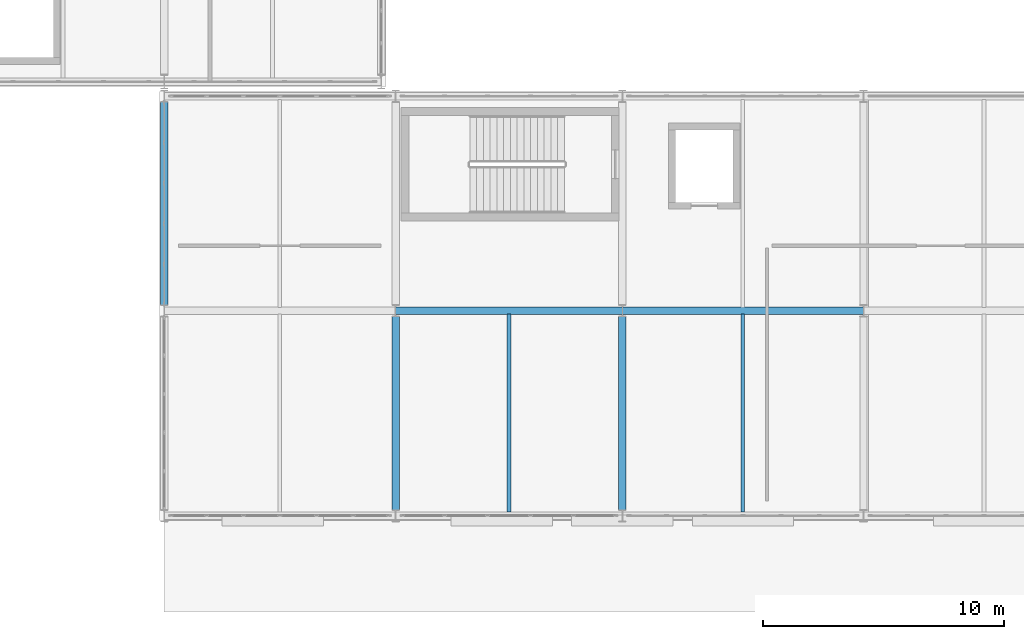
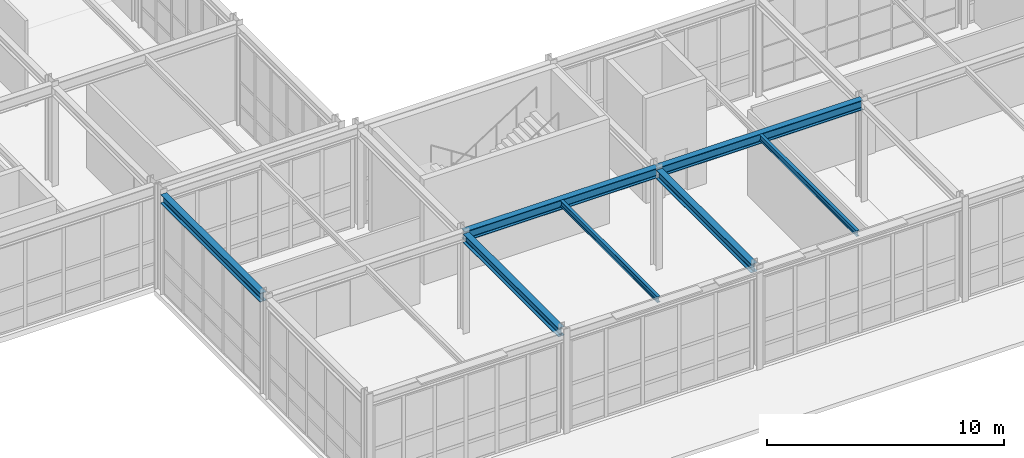
# One storey, part 94 of 210: 7 beams.
"""IFC4 building model written with IfcOpenShell, lengths in metres."""

from ifc_helpers import new_model, si_unit, direction, frame, origin, origin_2d, place, context, subcontext, project, spatial, i_section, extrude, material, material_profile, profile_set, type_object, element, save


model = new_model("IFC4")

# Units and contexts
model_context = context("Model", 3, precision=1e-05, world=origin(), true_north=direction((0.0, 1.0)))
body_context = subcontext(model_context, "Body", "Model", "MODEL_VIEW")
ifc_project = project(units=[si_unit("LENGTHUNIT", "METRE"), si_unit("AREAUNIT", "SQUARE_METRE"), si_unit("VOLUMEUNIT", "CUBIC_METRE"), si_unit("PLANEANGLEUNIT", "RADIAN"), si_unit("MASSUNIT", "GRAM", prefix="KILO")], contexts=[model_context])

# Site, building, storey
site_placement = place(None, origin())
site = spatial("IfcSite", under=ifc_project, at=site_placement, CompositionType="ELEMENT")
building_placement = place(site_placement, origin())
building = spatial("IfcBuilding", under=site, at=building_placement, Name="Kaldris Quays Convention Centre", CompositionType="ELEMENT")
storey_placement = place(building_placement, frame((0.0, 0.0, 6.0)))
storey = spatial("IfcBuildingStorey", under=building, at=storey_placement, Name="L01", CompositionType="ELEMENT", Elevation=6.0)

# Beams
ifc_material = material(Name="Steel S355J2", Category="steel")
ifc_material_profile_1 = material_profile(ifc_material, i_section(OverallWidth=0.300048828125, OverallDepth=0.5, WebThickness=0.014404296875, FlangeThickness=0.028076171875, FilletRadius=0.027099609375, at=origin_2d()), Name="HEB 500")
ifc_profile_set_1 = profile_set([ifc_material_profile_1], Name="Steel S355J2")
beam_type_1 = type_object("IfcBeamType", Name="STRUCTURAL BEAM BM06", PredefinedType="BEAM", material=ifc_profile_set_1)
beam_1_placement = place(storey_placement, frame((164.601318359375, 28.5, 4.9130859375), z_axis=(1.0, 0.0, 0.0), x_axis=(0.0, 1.0, 0.0)))
element("IfcBeam", 1, at=beam_1_placement, inside=storey, type_object=beam_type_1, Name="L01 Girder BM06 7", PredefinedType="BEAM", context=body_context, shape_type="SweptSolid", body=[
    extrude(i_section(OverallWidth=0.300048828125, OverallDepth=0.5, WebThickness=0.014404296875, FlangeThickness=0.028076171875, FilletRadius=0.027099609375, at=origin_2d()), origin(), (0.0, 0.0, 1.0), 9.3974609375),
])
beam_2_placement = place(storey_placement, frame((174.001220703125, 28.5, 4.9130859375), z_axis=(1.0, 0.0, 0.0), x_axis=(0.0, 1.0, 0.0)))
element("IfcBeam", 2, at=beam_2_placement, inside=storey, type_object=beam_type_1, Name="L01 Girder BM06 8", PredefinedType="BEAM", context=body_context, shape_type="SweptSolid", body=[
    extrude(i_section(OverallWidth=0.300048828125, OverallDepth=0.5, WebThickness=0.014404296875, FlangeThickness=0.028076171875, FilletRadius=0.027099609375, at=origin_2d()), origin(), (0.0, 0.0, 1.0), 9.99755859375),
])
ifc_material_profile_2 = material_profile(ifc_material, i_section(OverallWidth=0.300048828125, OverallDepth=0.449951171875, WebThickness=0.013916015625, FlangeThickness=0.02587890625, FilletRadius=0.027099609375, at=origin_2d()), Name="HEB 450")
ifc_profile_set_2 = profile_set([ifc_material_profile_2], Name="Steel S355J2")
beam_type_2 = type_object("IfcBeamType", Name="STRUCTURAL BEAM BM07", PredefinedType="BEAM", material=ifc_profile_set_2)
beam_3_placement = place(storey_placement, frame((155.0, 28.743896484375, 4.93798828125), z_axis=(0.0, 1.0, 0.0), x_axis=(-1.0, 0.0, 0.0)))
element("IfcBeam", 3, at=beam_3_placement, inside=storey, type_object=beam_type_2, Name="L01 Girder BM07 17", PredefinedType="BEAM", context=body_context, shape_type="SweptSolid", body=[
    extrude(i_section(OverallWidth=0.300048828125, OverallDepth=0.449951171875, WebThickness=0.013916015625, FlangeThickness=0.02587890625, FilletRadius=0.027099609375, at=origin_2d()), origin(), (0.0, 0.0, 1.0), 8.412109375),
])
for number, where, z_axis, x_axis, name in (
    (4, (164.60009765625, 20.243896484375, 4.93798828125), (0.0, 1.0, 0.0), (-1.0, 0.0, 0.0), "L01 Girder BM07 18"),
    (5, (174.0, 20.243896484375, 4.93798828125), (0.0, 1.0, 0.0), (-1.0, 0.0, 0.0), "L01 Girder BM07 20"),
):
    element("IfcBeam", number, at=place(storey_placement, frame(where, z_axis=z_axis, x_axis=x_axis)), inside=storey, type_object=beam_type_2, Name=name, PredefinedType="BEAM", context=body_context, shape_type="SweptSolid", body=[
        extrude(i_section(OverallWidth=0.300048828125, OverallDepth=0.449951171875, WebThickness=0.013916015625, FlangeThickness=0.02587890625, FilletRadius=0.027099609375, at=origin_2d()), origin(), (0.0, 0.0, 1.0), 8.01220703125),
    ])
ifc_material_profile_3 = material_profile(ifc_material, i_section(OverallWidth=0.14990234375, OverallDepth=0.300048828125, WebThickness=0.007080078125, FlangeThickness=0.0107421875, FilletRadius=0.014892578125, at=origin_2d()), Name="IPE 300")
ifc_profile_set_3 = profile_set([ifc_material_profile_3], Name="Steel S355J2")
beam_type_3 = type_object("IfcBeamType", Name="STRUCTURAL BEAM JT04", PredefinedType="JOIST", material=ifc_profile_set_3)
for number, where, z_axis, x_axis, name in (
    (6, (169.300048828125, 20.14404296875, 5.012939453125), (0.0, 1.0, 0.0), (-1.0, 0.0, 0.0), "L01 Secondary Joist JT04 2"),
    (7, (179.0, 20.14404296875, 5.012939453125), (0.0, 1.0, 0.0), (-1.0, 0.0, 0.0), "L01 Secondary Joist JT04 3"),
):
    element("IfcBeam", number, at=place(storey_placement, frame(where, z_axis=z_axis, x_axis=x_axis)), inside=storey, type_object=beam_type_3, Name=name, PredefinedType="JOIST", context=body_context, shape_type="SweptSolid", body=[
        extrude(i_section(OverallWidth=0.14990234375, OverallDepth=0.300048828125, WebThickness=0.007080078125, FlangeThickness=0.0107421875, FilletRadius=0.014892578125, at=origin_2d()), origin(), (0.0, 0.0, 1.0), 8.2119140625),
    ])

save(model, "model.ifc")
